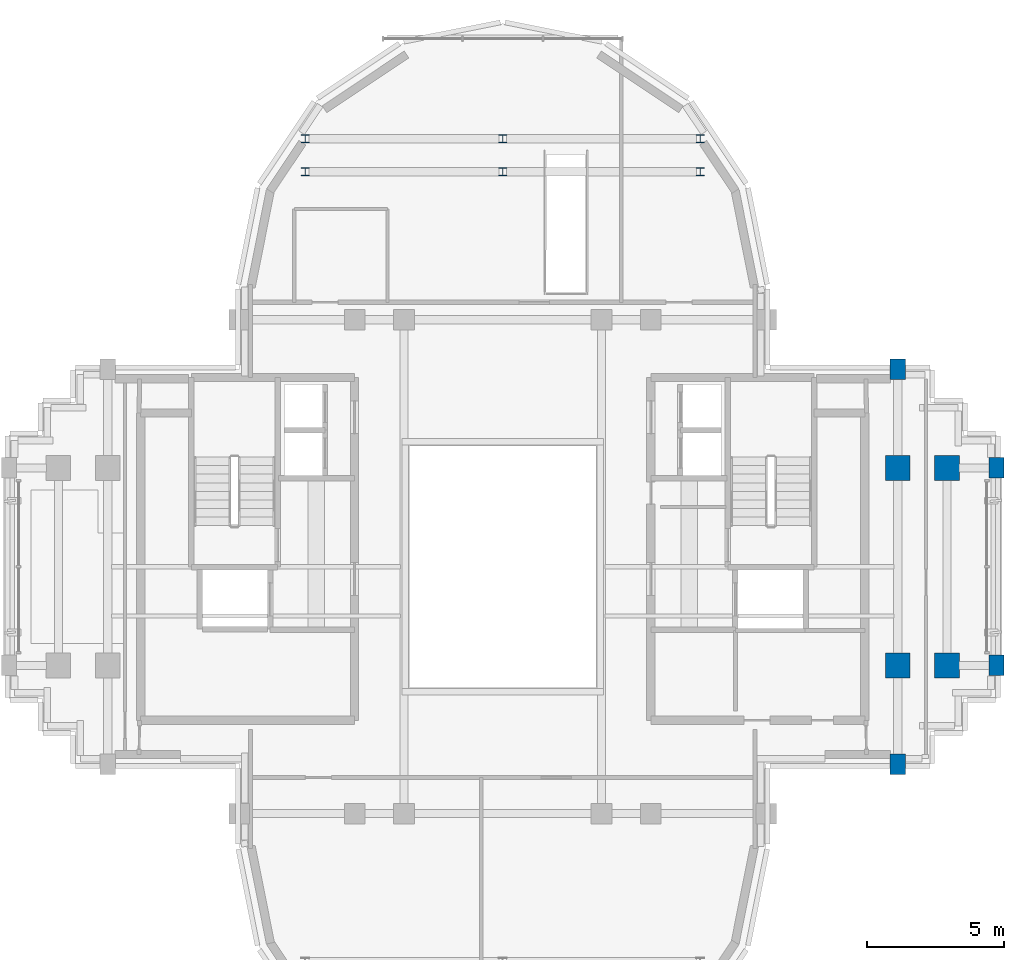
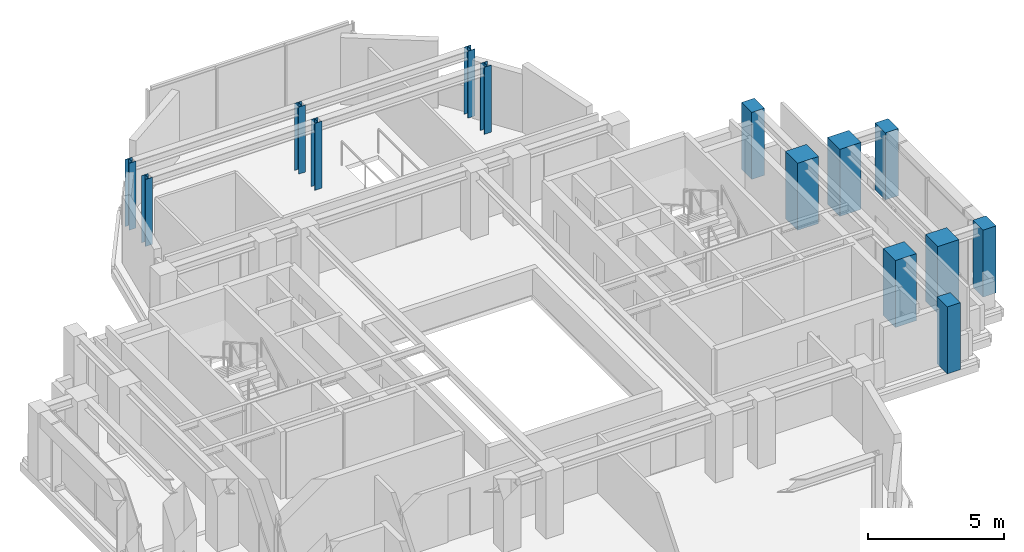
# One storey, part 2 of 12: 14 columns.
"""IFC4 building model written with IfcOpenShell, lengths in metres."""

from ifc_helpers import new_model, si_unit, direction, frame, origin, origin_2d, place, context, subcontext, project, spatial, rectangle, i_section, extrude, source, transform, mapped, material, material_profile, profile_set, type_object, element, save


model = new_model("IFC4")

# Units and contexts
model_context = context("Model", 3, precision=1e-05, world=origin(), true_north=direction((0.0, 1.0)))
body_context = subcontext(model_context, "Body", "Model", "MODEL_VIEW")
ifc_project = project(units=[si_unit("LENGTHUNIT", "METRE"), si_unit("AREAUNIT", "SQUARE_METRE"), si_unit("VOLUMEUNIT", "CUBIC_METRE"), si_unit("PLANEANGLEUNIT", "RADIAN"), si_unit("MASSUNIT", "GRAM", prefix="KILO")], contexts=[model_context])

# Site, building, storey
site_placement = place(None, origin())
site = spatial("IfcSite", under=ifc_project, at=site_placement, CompositionType="ELEMENT")
building_placement = place(site_placement, origin())
building = spatial("IfcBuilding", under=site, at=building_placement, Name="Keilestroom Media Tower", CompositionType="ELEMENT")
storey_placement = place(building_placement, frame((0.0, 0.0, 233.199951171875)))
storey = spatial("IfcBuildingStorey", under=building, at=storey_placement, Name="L64", CompositionType="ELEMENT", Elevation=233.199951171875)

# Columns
ifc_material_1 = material(Name="Precast concrete C40/50", Category="concrete")
ifc_material_profile_1 = material_profile(ifc_material_1, rectangle(XDim=0.550048828125, YDim=0.75, at=origin_2d()), Name="PC 750x550")
ifc_profile_set_1 = profile_set([ifc_material_profile_1], Name="Precast concrete C40/50")
column_type_1 = type_object("IfcColumnType", Name="Structural-Column-PC-750x550", PredefinedType="COLUMN", material=ifc_profile_set_1)
shared_shape_1 = source(origin(), body_context, "Body", "SweptSolid", [
    extrude(rectangle(XDim=0.550048828125, YDim=0.75, at=origin_2d()), origin(), (0.0, 0.0, 1.0), 3.010009765625),
])
for number, where, z_axis, x_axis, name in (
    (1, (14.39990234375, -7.199951171875, 0.0), (0.0, 0.0, 1.0), (1.0, 0.0, 0.0), "L64 Column PC-3 (+14.4,-7.2)"),
    (2, (14.39990234375, 7.199951171875, 0.0), (0.0, 0.0, 1.0), (1.0, 0.0, 0.0), "L64 Column PC-3 (+14.4,+7.2)"),
    (3, (18.0, -3.60009765625, 0.0), (0.0, 0.0, 1.0), (1.0, 0.0, 0.0), "L64 Column PC-3 (+18.0,-3.6)"),
    (4, (18.0, 3.60009765625, 0.0), (0.0, 0.0, 1.0), (1.0, 0.0, 0.0), "L64 Column PC-3 (+18.0,+3.6)"),
):
    element("IfcColumn", number, at=place(storey_placement, frame(where, z_axis=z_axis, x_axis=x_axis)), inside=storey, type_object=column_type_1, Name=name, PredefinedType="COLUMN", context=body_context, shape_type="MappedRepresentation", body=[
        mapped(shared_shape_1, transform((0.0, 0.0, 0.0), x_axis=(1.0, 0.0, 0.0), y_axis=(0.0, 1.0, 0.0), z_axis=(0.0, 0.0, 1.0), scale=1.0)),
    ])
ifc_material_2 = material(Name="Concrete C55/67", Category="concrete")
ifc_material_profile_2 = material_profile(ifc_material_2, rectangle(XDim=0.89990234375, YDim=0.89990234375, at=origin_2d()), Name="RC 900x900")
ifc_profile_set_2 = profile_set([ifc_material_profile_2], Name="Concrete C55/67")
column_type_2 = type_object("IfcColumnType", Name="Structural-Column-RC-900x900", PredefinedType="COLUMN", material=ifc_profile_set_2)
shared_shape_2 = source(origin(), body_context, "Body", "SweptSolid", [
    extrude(rectangle(XDim=0.89990234375, YDim=0.89990234375, at=origin_2d()), origin(), (0.0, 0.0, 1.0), 3.010009765625),
])
for number, where, z_axis, x_axis, name in (
    (5, (14.39990234375, -3.60009765625, 0.0), (0.0, 0.0, 1.0), (1.0, 0.0, 0.0), "L64 Column MC-4 (+14.4,-3.6)"),
    (6, (14.39990234375, 3.60009765625, 0.0), (0.0, 0.0, 1.0), (1.0, 0.0, 0.0), "L64 Column MC-4 (+14.4,+3.6)"),
    (7, (16.199951171875, -3.60009765625, 0.0), (0.0, 0.0, 1.0), (1.0, 0.0, 0.0), "L64 Column MC-4 (+16.2,-3.6)"),
    (8, (16.199951171875, 3.60009765625, 0.0), (0.0, 0.0, 1.0), (1.0, 0.0, 0.0), "L64 Column MC-4 (+16.2,+3.6)"),
):
    element("IfcColumn", number, at=place(storey_placement, frame(where, z_axis=z_axis, x_axis=x_axis)), inside=storey, type_object=column_type_2, Name=name, PredefinedType="COLUMN", context=body_context, shape_type="MappedRepresentation", body=[
        mapped(shared_shape_2, transform((0.0, 0.0, 0.0), x_axis=(1.0, 0.0, 0.0), y_axis=(0.0, 1.0, 0.0), z_axis=(0.0, 0.0, 1.0), scale=1.0)),
    ])
ifc_material_3 = material(Name="Steel S355", Category="steel")
ifc_material_profile_3 = material_profile(ifc_material_3, i_section(OverallWidth=0.300048828125, OverallDepth=0.300048828125, WebThickness=0.010986328125, FlangeThickness=0.01904296875, at=origin_2d()), Name="HEB 300")
ifc_profile_set_3 = profile_set([ifc_material_profile_3], Name="Steel S355")
column_type_3 = type_object("IfcColumnType", Name="Structural-Column-HEB-300", PredefinedType="COLUMN", material=ifc_profile_set_3)
shared_shape_3 = source(origin(), body_context, "Body", "SweptSolid", [
    extrude(i_section(OverallWidth=0.300048828125, OverallDepth=0.300048828125, WebThickness=0.010986328125, FlangeThickness=0.01904296875, at=origin_2d()), origin(), (0.0, 0.0, 1.0), 3.010009765625),
])
for number, where, z_axis, x_axis, name in (
    (9, (-7.199951171875, 14.39990234375, 0.0), (0.0, 0.0, 1.0), (1.0, 0.0, 0.0), "L64 Column SC-5 (-7.2,+14.4)"),
    (10, (-7.199951171875, 15.60009765625, 0.0), (0.0, 0.0, 1.0), (1.0, 0.0, 0.0), "L64 Column SC-5 (-7.2,+15.6)"),
    (11, (0.0, 14.39990234375, 0.0), (0.0, 0.0, 1.0), (1.0, 0.0, 0.0), "L64 Column SC-5 (+0.0,+14.4)"),
    (12, (0.0, 15.60009765625, 0.0), (0.0, 0.0, 1.0), (1.0, 0.0, 0.0), "L64 Column SC-5 (+0.0,+15.6)"),
    (13, (7.199951171875, 14.39990234375, 0.0), (0.0, 0.0, 1.0), (1.0, 0.0, 0.0), "L64 Column SC-5 (+7.2,+14.4)"),
    (14, (7.199951171875, 15.60009765625, 0.0), (0.0, 0.0, 1.0), (1.0, 0.0, 0.0), "L64 Column SC-5 (+7.2,+15.6)"),
):
    element("IfcColumn", number, at=place(storey_placement, frame(where, z_axis=z_axis, x_axis=x_axis)), inside=storey, type_object=column_type_3, Name=name, PredefinedType="COLUMN", context=body_context, shape_type="MappedRepresentation", body=[
        mapped(shared_shape_3, transform((0.0, 0.0, 0.0), x_axis=(1.0, 0.0, 0.0), y_axis=(0.0, 1.0, 0.0), z_axis=(0.0, 0.0, 1.0), scale=1.0)),
    ])

save(model, "model.ifc")
